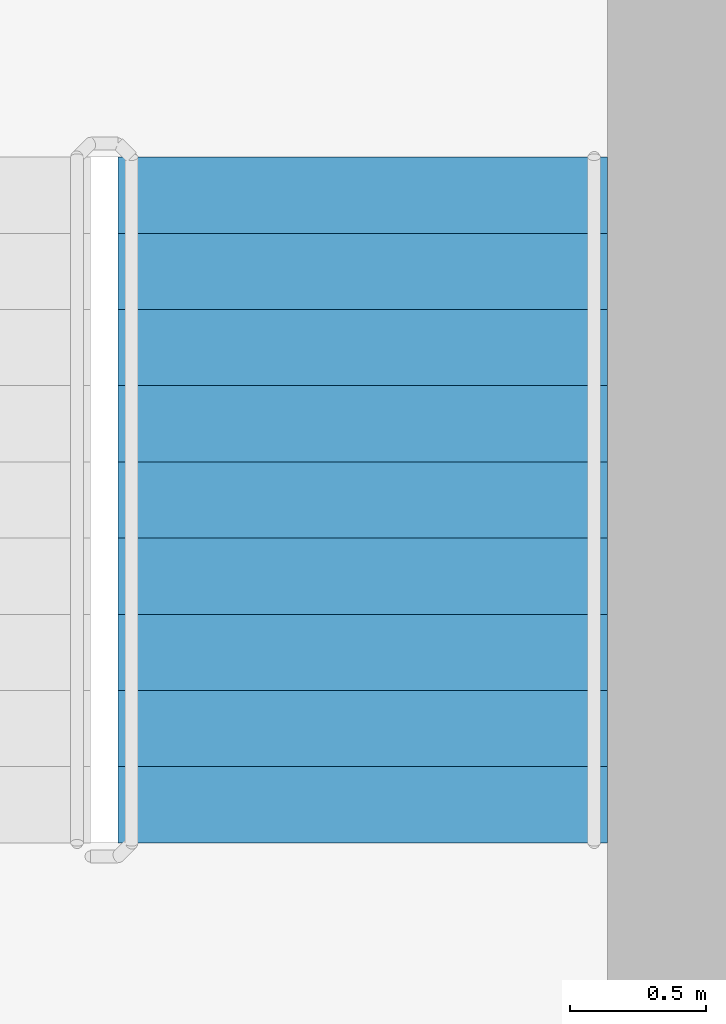
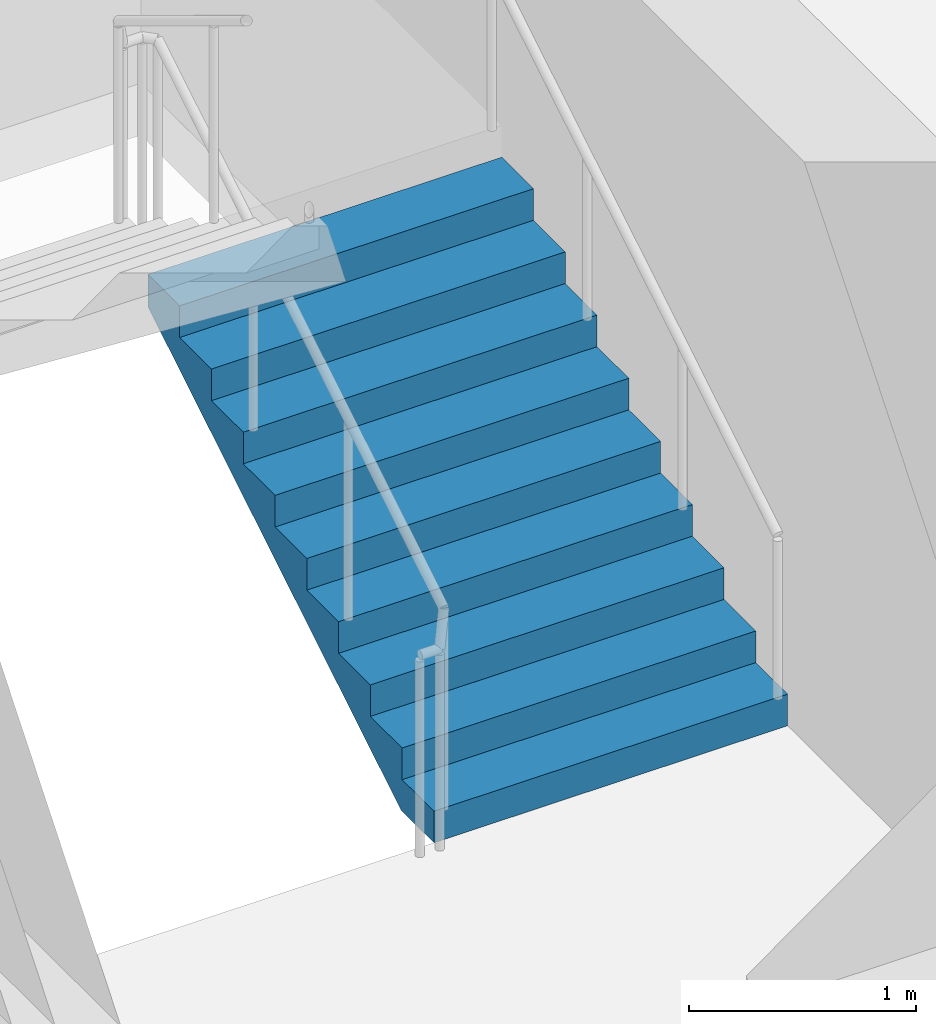
# One storey, part 10 of 17: 1 stair flight, 1 element without a shape of its own.
"""IFC4 building model written with IfcOpenShell, lengths in metres."""

from ifc_helpers import new_model, si_unit, direction, frame, origin, place, context, subcontext, project, spatial, triangles, source, transform, mapped, material, type_object, element, aggregate, save


model = new_model("IFC4")

# Units and contexts
model_context = context("Model", 3, precision=1e-05, world=origin(), true_north=direction((0.0, 1.0)))
body_context = subcontext(model_context, "Body", "Model", "MODEL_VIEW")
ifc_project = project(units=[si_unit("LENGTHUNIT", "METRE"), si_unit("AREAUNIT", "SQUARE_METRE"), si_unit("VOLUMEUNIT", "CUBIC_METRE"), si_unit("PLANEANGLEUNIT", "RADIAN"), si_unit("MASSUNIT", "GRAM", prefix="KILO")], contexts=[model_context])

# Site, building, storey
site_placement = place(None, origin())
site = spatial("IfcSite", under=ifc_project, at=site_placement, CompositionType="ELEMENT")
building_placement = place(site_placement, origin())
building = spatial("IfcBuilding", under=site, at=building_placement, Name="Kilnfold Tower and Market Hall", CompositionType="ELEMENT")
storey_placement = place(building_placement, frame((0.0, 0.0, 298.39990234375)))
storey = spatial("IfcBuildingStorey", under=building, at=storey_placement, Name="L74", CompositionType="ELEMENT", Elevation=298.39990234375)

# Stair, stair flight
ifc_material_1 = material(Name="Concrete C40/50", Category="concrete")
stair_type = type_object("IfcStairType", Name="CORE STAIR 1800", PredefinedType="HALF_TURN_STAIR", material=ifc_material_1)
stair_placement = place(storey_placement, origin())
stair = element("IfcStair", 1, at=stair_placement, inside=storey, type_object=stair_type, Name="L74 ST2", PredefinedType="HALF_TURN_STAIR")
ifc_material_2 = material(Name="Concrete C40/50", Category="concrete")
stair_flight_type = type_object("IfcStairFlightType", Name="CORE STAIR FLIGHT 1800", PredefinedType="STRAIGHT", material=ifc_material_2)
shared_shape = source(origin(), body_context, "Body", "Tessellation", [
    triangles([(0.0, 0.89990234375, 0.0), (0.0, 0.78759765625, 0.0), (0.0, 0.675048828125, 0.0), (0.0, 0.5625, 0.0), (0.0, 0.449951171875, 0.0), (0.0, 0.33740234375, 0.0), (0.0, 0.22509765625, 0.0), (0.0, 0.112548828125, 0.0), (0.0, 0.0, 0.0), (0.0, -0.112548828125, 0.0), (0.0, -0.22509765625, 0.0), (0.0, -0.33740234375, 0.0), (0.0, -0.449951171875, 0.0), (0.0, -0.5625, 0.0), (0.0, -0.675048828125, 0.0), (0.0, -0.78759765625, 0.0), (0.0, -0.89990234375, 0.0), (0.0, 0.89990234375, 0.169921875), (0.0, 0.78759765625, 0.169921875), (0.0, 0.675048828125, 0.169921875), (0.0, 0.5625, 0.169921875), (0.0, 0.449951171875, 0.169921875), (0.0, 0.33740234375, 0.169921875), (0.0, 0.22509765625, 0.169921875), (0.0, 0.112548828125, 0.169921875), (0.0, 0.0, 0.169921875), (0.0, -0.112548828125, 0.169921875), (0.0, -0.22509765625, 0.169921875), (0.0, -0.33740234375, 0.169921875), (0.0, -0.449951171875, 0.169921875), (0.0, -0.5625, 0.169921875), (0.0, -0.675048828125, 0.169921875), (0.0, -0.78759765625, 0.169921875), (0.0, -0.89990234375, 0.169921875), (0.280029296875, 0.89990234375, 0.169921875), (0.280029296875, 0.78759765625, 0.169921875), (0.280029296875, 0.675048828125, 0.169921875), (0.280029296875, 0.5625, 0.169921875), (0.280029296875, 0.449951171875, 0.169921875), (0.280029296875, 0.33740234375, 0.169921875), (0.280029296875, 0.22509765625, 0.169921875), (0.280029296875, 0.112548828125, 0.169921875), (0.280029296875, 0.0, 0.169921875), (0.280029296875, -0.112548828125, 0.169921875), (0.280029296875, -0.22509765625, 0.169921875), (0.280029296875, -0.33740234375, 0.169921875), (0.280029296875, -0.449951171875, 0.169921875), (0.280029296875, -0.5625, 0.169921875), (0.280029296875, -0.675048828125, 0.169921875), (0.280029296875, -0.78759765625, 0.169921875), (0.280029296875, -0.89990234375, 0.169921875), (0.280029296875, 0.89990234375, 0.340087890625), (0.280029296875, 0.78759765625, 0.340087890625), (0.280029296875, 0.675048828125, 0.340087890625), (0.280029296875, 0.5625, 0.340087890625), (0.280029296875, 0.449951171875, 0.340087890625), (0.280029296875, 0.33740234375, 0.340087890625), (0.280029296875, 0.22509765625, 0.340087890625), (0.280029296875, 0.112548828125, 0.340087890625), (0.280029296875, 0.0, 0.340087890625), (0.280029296875, -0.112548828125, 0.340087890625), (0.280029296875, -0.22509765625, 0.340087890625), (0.280029296875, -0.33740234375, 0.340087890625), (0.280029296875, -0.449951171875, 0.340087890625), (0.280029296875, -0.5625, 0.340087890625), (0.280029296875, -0.675048828125, 0.340087890625), (0.280029296875, -0.78759765625, 0.340087890625), (0.280029296875, -0.89990234375, 0.340087890625), (0.56005859375, 0.89990234375, 0.340087890625), (0.56005859375, 0.78759765625, 0.340087890625), (0.56005859375, 0.675048828125, 0.340087890625), (0.56005859375, 0.5625, 0.340087890625), (0.56005859375, 0.449951171875, 0.340087890625), (0.56005859375, 0.33740234375, 0.340087890625), (0.56005859375, 0.22509765625, 0.340087890625), (0.56005859375, 0.112548828125, 0.340087890625), (0.56005859375, 0.0, 0.340087890625), (0.56005859375, -0.112548828125, 0.340087890625), (0.56005859375, -0.22509765625, 0.340087890625), (0.56005859375, -0.33740234375, 0.340087890625), (0.56005859375, -0.449951171875, 0.340087890625), (0.56005859375, -0.5625, 0.340087890625), (0.56005859375, -0.675048828125, 0.340087890625), (0.56005859375, -0.78759765625, 0.340087890625), (0.56005859375, -0.89990234375, 0.340087890625), (0.56005859375, 0.89990234375, 0.510009765625), (0.56005859375, 0.78759765625, 0.510009765625), (0.56005859375, 0.675048828125, 0.510009765625), (0.56005859375, 0.5625, 0.510009765625), (0.56005859375, 0.449951171875, 0.510009765625), (0.56005859375, 0.33740234375, 0.510009765625), (0.56005859375, 0.22509765625, 0.510009765625), (0.56005859375, 0.112548828125, 0.510009765625), (0.56005859375, 0.0, 0.510009765625), (0.56005859375, -0.112548828125, 0.510009765625), (0.56005859375, -0.22509765625, 0.510009765625), (0.56005859375, -0.33740234375, 0.510009765625), (0.56005859375, -0.449951171875, 0.510009765625), (0.56005859375, -0.5625, 0.510009765625), (0.56005859375, -0.675048828125, 0.510009765625), (0.56005859375, -0.78759765625, 0.510009765625), (0.56005859375, -0.89990234375, 0.510009765625), (0.840087890625, 0.89990234375, 0.510009765625), (0.840087890625, 0.78759765625, 0.510009765625), (0.840087890625, 0.675048828125, 0.510009765625), (0.840087890625, 0.5625, 0.510009765625), (0.840087890625, 0.449951171875, 0.510009765625), (0.840087890625, 0.33740234375, 0.510009765625), (0.840087890625, 0.22509765625, 0.510009765625), (0.840087890625, 0.112548828125, 0.510009765625), (0.840087890625, 0.0, 0.510009765625), (0.840087890625, -0.112548828125, 0.510009765625), (0.840087890625, -0.22509765625, 0.510009765625), (0.840087890625, -0.33740234375, 0.510009765625), (0.840087890625, -0.449951171875, 0.510009765625), (0.840087890625, -0.5625, 0.510009765625), (0.840087890625, -0.675048828125, 0.510009765625), (0.840087890625, -0.78759765625, 0.510009765625), (0.840087890625, -0.89990234375, 0.510009765625), (0.840087890625, 0.89990234375, 0.679931640625), (0.840087890625, 0.78759765625, 0.679931640625), (0.840087890625, 0.675048828125, 0.679931640625), (0.840087890625, 0.5625, 0.679931640625), (0.840087890625, 0.449951171875, 0.679931640625), (0.840087890625, 0.33740234375, 0.679931640625), (0.840087890625, 0.22509765625, 0.679931640625), (0.840087890625, 0.112548828125, 0.679931640625), (0.840087890625, 0.0, 0.679931640625), (0.840087890625, -0.112548828125, 0.679931640625), (0.840087890625, -0.22509765625, 0.679931640625), (0.840087890625, -0.33740234375, 0.679931640625), (0.840087890625, -0.449951171875, 0.679931640625), (0.840087890625, -0.5625, 0.679931640625), (0.840087890625, -0.675048828125, 0.679931640625), (0.840087890625, -0.78759765625, 0.679931640625), (0.840087890625, -0.89990234375, 0.679931640625), (1.1201171875, 0.89990234375, 0.679931640625), (1.1201171875, 0.78759765625, 0.679931640625), (1.1201171875, 0.675048828125, 0.679931640625), (1.1201171875, 0.5625, 0.679931640625), (1.1201171875, 0.449951171875, 0.679931640625), (1.1201171875, 0.33740234375, 0.679931640625), (1.1201171875, 0.22509765625, 0.679931640625), (1.1201171875, 0.112548828125, 0.679931640625), (1.1201171875, 0.0, 0.679931640625), (1.1201171875, -0.112548828125, 0.679931640625), (1.1201171875, -0.22509765625, 0.679931640625), (1.1201171875, -0.33740234375, 0.679931640625), (1.1201171875, -0.449951171875, 0.679931640625), (1.1201171875, -0.5625, 0.679931640625), (1.1201171875, -0.675048828125, 0.679931640625), (1.1201171875, -0.78759765625, 0.679931640625), (1.1201171875, -0.89990234375, 0.679931640625), (1.1201171875, 0.89990234375, 0.85009765625), (1.1201171875, 0.78759765625, 0.85009765625), (1.1201171875, 0.675048828125, 0.85009765625), (1.1201171875, 0.5625, 0.85009765625), (1.1201171875, 0.449951171875, 0.85009765625), (1.1201171875, 0.33740234375, 0.85009765625), (1.1201171875, 0.22509765625, 0.85009765625), (1.1201171875, 0.112548828125, 0.85009765625), (1.1201171875, 0.0, 0.85009765625), (1.1201171875, -0.112548828125, 0.85009765625), (1.1201171875, -0.22509765625, 0.85009765625), (1.1201171875, -0.33740234375, 0.85009765625), (1.1201171875, -0.449951171875, 0.85009765625), (1.1201171875, -0.5625, 0.85009765625), (1.1201171875, -0.675048828125, 0.85009765625), (1.1201171875, -0.78759765625, 0.85009765625), (1.1201171875, -0.89990234375, 0.85009765625), (1.39990234375, 0.89990234375, 0.85009765625), (1.39990234375, 0.78759765625, 0.85009765625), (1.39990234375, 0.675048828125, 0.85009765625), (1.39990234375, 0.5625, 0.85009765625), (1.39990234375, 0.449951171875, 0.85009765625), (1.39990234375, 0.33740234375, 0.85009765625), (1.39990234375, 0.22509765625, 0.85009765625), (1.39990234375, 0.112548828125, 0.85009765625), (1.39990234375, 0.0, 0.85009765625), (1.39990234375, -0.112548828125, 0.85009765625), (1.39990234375, -0.22509765625, 0.85009765625), (1.39990234375, -0.33740234375, 0.85009765625), (1.39990234375, -0.449951171875, 0.85009765625), (1.39990234375, -0.5625, 0.85009765625), (1.39990234375, -0.675048828125, 0.85009765625), (1.39990234375, -0.78759765625, 0.85009765625), (1.39990234375, -0.89990234375, 0.85009765625), (1.39990234375, 0.89990234375, 1.02001953125), (1.39990234375, 0.78759765625, 1.02001953125), (1.39990234375, 0.675048828125, 1.02001953125), (1.39990234375, 0.5625, 1.02001953125), (1.39990234375, 0.449951171875, 1.02001953125), (1.39990234375, 0.33740234375, 1.02001953125), (1.39990234375, 0.22509765625, 1.02001953125), (1.39990234375, 0.112548828125, 1.02001953125), (1.39990234375, 0.0, 1.02001953125), (1.39990234375, -0.112548828125, 1.02001953125), (1.39990234375, -0.22509765625, 1.02001953125), (1.39990234375, -0.33740234375, 1.02001953125), (1.39990234375, -0.449951171875, 1.02001953125), (1.39990234375, -0.5625, 1.02001953125), (1.39990234375, -0.675048828125, 1.02001953125), (1.39990234375, -0.78759765625, 1.02001953125), (1.39990234375, -0.89990234375, 1.02001953125), (1.679931640625, 0.89990234375, 1.02001953125), (1.679931640625, 0.78759765625, 1.02001953125), (1.679931640625, 0.675048828125, 1.02001953125), (1.679931640625, 0.5625, 1.02001953125), (1.679931640625, 0.449951171875, 1.02001953125), (1.679931640625, 0.33740234375, 1.02001953125), (1.679931640625, 0.22509765625, 1.02001953125), (1.679931640625, 0.112548828125, 1.02001953125), (1.679931640625, 0.0, 1.02001953125), (1.679931640625, -0.112548828125, 1.02001953125), (1.679931640625, -0.22509765625, 1.02001953125), (1.679931640625, -0.33740234375, 1.02001953125), (1.679931640625, -0.449951171875, 1.02001953125), (1.679931640625, -0.5625, 1.02001953125), (1.679931640625, -0.675048828125, 1.02001953125), (1.679931640625, -0.78759765625, 1.02001953125), (1.679931640625, -0.89990234375, 1.02001953125), (1.679931640625, 0.89990234375, 1.18994140625), (1.679931640625, 0.78759765625, 1.18994140625), (1.679931640625, 0.675048828125, 1.18994140625), (1.679931640625, 0.5625, 1.18994140625), (1.679931640625, 0.449951171875, 1.18994140625), (1.679931640625, 0.33740234375, 1.18994140625), (1.679931640625, 0.22509765625, 1.18994140625), (1.679931640625, 0.112548828125, 1.18994140625), (1.679931640625, 0.0, 1.18994140625), (1.679931640625, -0.112548828125, 1.18994140625), (1.679931640625, -0.22509765625, 1.18994140625), (1.679931640625, -0.33740234375, 1.18994140625), (1.679931640625, -0.449951171875, 1.18994140625), (1.679931640625, -0.5625, 1.18994140625), (1.679931640625, -0.675048828125, 1.18994140625), (1.679931640625, -0.78759765625, 1.18994140625), (1.679931640625, -0.89990234375, 1.18994140625), (1.9599609375, 0.89990234375, 1.18994140625), (1.9599609375, 0.78759765625, 1.18994140625), (1.9599609375, 0.675048828125, 1.18994140625), (1.9599609375, 0.5625, 1.18994140625), (1.9599609375, 0.449951171875, 1.18994140625), (1.9599609375, 0.33740234375, 1.18994140625), (1.9599609375, 0.22509765625, 1.18994140625), (1.9599609375, 0.112548828125, 1.18994140625), (1.9599609375, 0.0, 1.18994140625), (1.9599609375, -0.112548828125, 1.18994140625), (1.9599609375, -0.22509765625, 1.18994140625), (1.9599609375, -0.33740234375, 1.18994140625), (1.9599609375, -0.449951171875, 1.18994140625), (1.9599609375, -0.5625, 1.18994140625), (1.9599609375, -0.675048828125, 1.18994140625), (1.9599609375, -0.78759765625, 1.18994140625), (1.9599609375, -0.89990234375, 1.18994140625), (1.9599609375, 0.89990234375, 1.360107421875), (1.9599609375, 0.78759765625, 1.360107421875), (1.9599609375, 0.675048828125, 1.360107421875), (1.9599609375, 0.5625, 1.360107421875), (1.9599609375, 0.449951171875, 1.360107421875), (1.9599609375, 0.33740234375, 1.360107421875), (1.9599609375, 0.22509765625, 1.360107421875), (1.9599609375, 0.112548828125, 1.360107421875), (1.9599609375, 0.0, 1.360107421875), (1.9599609375, -0.112548828125, 1.360107421875), (1.9599609375, -0.22509765625, 1.360107421875), (1.9599609375, -0.33740234375, 1.360107421875), (1.9599609375, -0.449951171875, 1.360107421875), (1.9599609375, -0.5625, 1.360107421875), (1.9599609375, -0.675048828125, 1.360107421875), (1.9599609375, -0.78759765625, 1.360107421875), (1.9599609375, -0.89990234375, 1.360107421875), (2.239990234375, 0.89990234375, 1.360107421875), (2.239990234375, 0.78759765625, 1.360107421875), (2.239990234375, 0.675048828125, 1.360107421875), (2.239990234375, 0.5625, 1.360107421875), (2.239990234375, 0.449951171875, 1.360107421875), (2.239990234375, 0.33740234375, 1.360107421875), (2.239990234375, 0.22509765625, 1.360107421875), (2.239990234375, 0.112548828125, 1.360107421875), (2.239990234375, 0.0, 1.360107421875), (2.239990234375, -0.112548828125, 1.360107421875), (2.239990234375, -0.22509765625, 1.360107421875), (2.239990234375, -0.33740234375, 1.360107421875), (2.239990234375, -0.449951171875, 1.360107421875), (2.239990234375, -0.5625, 1.360107421875), (2.239990234375, -0.675048828125, 1.360107421875), (2.239990234375, -0.78759765625, 1.360107421875), (2.239990234375, -0.89990234375, 1.360107421875), (2.239990234375, 0.89990234375, 1.530029296875), (2.239990234375, 0.78759765625, 1.530029296875), (2.239990234375, 0.675048828125, 1.530029296875), (2.239990234375, 0.5625, 1.530029296875), (2.239990234375, 0.449951171875, 1.530029296875), (2.239990234375, 0.33740234375, 1.530029296875), (2.239990234375, 0.22509765625, 1.530029296875), (2.239990234375, 0.112548828125, 1.530029296875), (2.239990234375, 0.0, 1.530029296875), (2.239990234375, -0.112548828125, 1.530029296875), (2.239990234375, -0.22509765625, 1.530029296875), (2.239990234375, -0.33740234375, 1.530029296875), (2.239990234375, -0.449951171875, 1.530029296875), (2.239990234375, -0.5625, 1.530029296875), (2.239990234375, -0.675048828125, 1.530029296875), (2.239990234375, -0.78759765625, 1.530029296875), (2.239990234375, -0.89990234375, 1.530029296875), (2.52001953125, 0.89990234375, 1.530029296875), (2.52001953125, 0.78759765625, 1.530029296875), (2.52001953125, 0.675048828125, 1.530029296875), (2.52001953125, 0.5625, 1.530029296875), (2.52001953125, 0.449951171875, 1.530029296875), (2.52001953125, 0.33740234375, 1.530029296875), (2.52001953125, 0.22509765625, 1.530029296875), (2.52001953125, 0.112548828125, 1.530029296875), (2.52001953125, 0.0, 1.530029296875), (2.52001953125, -0.112548828125, 1.530029296875), (2.52001953125, -0.22509765625, 1.530029296875), (2.52001953125, -0.33740234375, 1.530029296875), (2.52001953125, -0.449951171875, 1.530029296875), (2.52001953125, -0.5625, 1.530029296875), (2.52001953125, -0.675048828125, 1.530029296875), (2.52001953125, -0.78759765625, 1.530029296875), (2.52001953125, -0.89990234375, 1.530029296875), (2.52001953125, 0.89990234375, 1.354736328125), (2.52001953125, 0.78759765625, 1.354736328125), (2.52001953125, 0.675048828125, 1.354736328125), (2.52001953125, 0.5625, 1.354736328125), (2.52001953125, 0.449951171875, 1.354736328125), (2.52001953125, 0.33740234375, 1.354736328125), (2.52001953125, 0.22509765625, 1.354736328125), (2.52001953125, 0.112548828125, 1.354736328125), (2.52001953125, 0.0, 1.354736328125), (2.52001953125, -0.112548828125, 1.354736328125), (2.52001953125, -0.22509765625, 1.354736328125), (2.52001953125, -0.33740234375, 1.354736328125), (2.52001953125, -0.449951171875, 1.354736328125), (2.52001953125, -0.5625, 1.354736328125), (2.52001953125, -0.675048828125, 1.354736328125), (2.52001953125, -0.78759765625, 1.354736328125), (2.52001953125, -0.89990234375, 1.354736328125), (0.288818359375, 0.89990234375, 0.0), (0.288818359375, 0.78759765625, 0.0), (0.288818359375, 0.675048828125, 0.0), (0.288818359375, 0.5625, 0.0), (0.288818359375, 0.449951171875, 0.0), (0.288818359375, 0.33740234375, 0.0), (0.288818359375, 0.22509765625, 0.0), (0.288818359375, 0.112548828125, 0.0), (0.288818359375, 0.0, 0.0), (0.288818359375, -0.112548828125, 0.0), (0.288818359375, -0.22509765625, 0.0), (0.288818359375, -0.33740234375, 0.0), (0.288818359375, -0.449951171875, 0.0), (0.288818359375, -0.5625, 0.0), (0.288818359375, -0.675048828125, 0.0), (0.288818359375, -0.78759765625, 0.0), (0.288818359375, -0.89990234375, 0.0)], [[1, 324, 341], [17, 357, 340], [324, 290, 307], [340, 323, 306], [324, 273, 290], [340, 306, 289], [324, 256, 273], [340, 289, 272], [324, 239, 256], [340, 272, 255], [239, 205, 222], [255, 238, 221], [324, 205, 239], [340, 255, 221], [205, 171, 188], [221, 204, 187], [324, 171, 205], [340, 221, 187], [171, 137, 154], [187, 170, 153], [324, 137, 171], [340, 187, 153], [137, 103, 120], [153, 136, 119], [324, 103, 137], [340, 153, 119], [103, 69, 86], [119, 102, 85], [324, 69, 103], [340, 119, 85], [69, 35, 52], [85, 68, 51], [324, 35, 69], [340, 85, 51], [1, 35, 324], [17, 340, 51], [35, 1, 18], [51, 34, 17], [1, 19, 18], [1, 2, 19], [2, 20, 19], [2, 3, 20], [3, 21, 20], [3, 4, 21], [4, 22, 21], [4, 5, 22], [5, 23, 22], [5, 6, 23], [6, 24, 23], [6, 7, 24], [7, 25, 24], [7, 8, 25], [8, 26, 25], [8, 9, 26], [9, 27, 26], [9, 10, 27], [10, 28, 27], [10, 11, 28], [11, 29, 28], [11, 12, 29], [12, 30, 29], [12, 13, 30], [13, 31, 30], [13, 14, 31], [14, 32, 31], [14, 15, 32], [15, 33, 32], [15, 16, 33], [16, 34, 33], [16, 17, 34], [18, 36, 35], [18, 19, 36], [19, 37, 36], [19, 20, 37], [20, 38, 37], [20, 21, 38], [21, 39, 38], [21, 22, 39], [22, 40, 39], [22, 23, 40], [23, 41, 40], [23, 24, 41], [24, 42, 41], [24, 25, 42], [25, 43, 42], [25, 26, 43], [26, 44, 43], [26, 27, 44], [27, 45, 44], [27, 28, 45], [28, 46, 45], [28, 29, 46], [29, 47, 46], [29, 30, 47], [30, 48, 47], [30, 31, 48], [31, 49, 48], [31, 32, 49], [32, 50, 49], [32, 33, 50], [33, 51, 50], [33, 34, 51], [35, 53, 52], [35, 36, 53], [36, 54, 53], [36, 37, 54], [37, 55, 54], [37, 38, 55], [38, 56, 55], [38, 39, 56], [39, 57, 56], [39, 40, 57], [40, 58, 57], [40, 41, 58], [41, 59, 58], [41, 42, 59], [42, 60, 59], [42, 43, 60], [43, 61, 60], [43, 44, 61], [44, 62, 61], [44, 45, 62], [45, 63, 62], [45, 46, 63], [46, 64, 63], [46, 47, 64], [47, 65, 64], [47, 48, 65], [48, 66, 65], [48, 49, 66], [49, 67, 66], [49, 50, 67], [50, 68, 67], [50, 51, 68], [52, 70, 69], [52, 53, 70], [53, 71, 70], [53, 54, 71], [54, 72, 71], [54, 55, 72], [55, 73, 72], [55, 56, 73], [56, 74, 73], [56, 57, 74], [57, 75, 74], [57, 58, 75], [58, 76, 75], [58, 59, 76], [59, 77, 76], [59, 60, 77], [60, 78, 77], [60, 61, 78], [61, 79, 78], [61, 62, 79], [62, 80, 79], [62, 63, 80], [63, 81, 80], [63, 64, 81], [64, 82, 81], [64, 65, 82], [65, 83, 82], [65, 66, 83], [66, 84, 83], [66, 67, 84], [67, 85, 84], [67, 68, 85], [69, 87, 86], [69, 70, 87], [70, 88, 87], [70, 71, 88], [71, 89, 88], [71, 72, 89], [72, 90, 89], [72, 73, 90], [73, 91, 90], [73, 74, 91], [74, 92, 91], [74, 75, 92], [75, 93, 92], [75, 76, 93], [76, 94, 93], [76, 77, 94], [77, 95, 94], [77, 78, 95], [78, 96, 95], [78, 79, 96], [79, 97, 96], [79, 80, 97], [80, 98, 97], [80, 81, 98], [81, 99, 98], [81, 82, 99], [82, 100, 99], [82, 83, 100], [83, 101, 100], [83, 84, 101], [84, 102, 101], [84, 85, 102], [86, 104, 103], [86, 87, 104], [87, 105, 104], [87, 88, 105], [88, 106, 105], [88, 89, 106], [89, 107, 106], [89, 90, 107], [90, 108, 107], [90, 91, 108], [91, 109, 108], [91, 92, 109], [92, 110, 109], [92, 93, 110], [93, 111, 110], [93, 94, 111], [94, 112, 111], [94, 95, 112], [95, 113, 112], [95, 96, 113], [96, 114, 113], [96, 97, 114], [97, 115, 114], [97, 98, 115], [98, 116, 115], [98, 99, 116], [99, 117, 116], [99, 100, 117], [100, 118, 117], [100, 101, 118], [101, 119, 118], [101, 102, 119], [103, 121, 120], [103, 104, 121], [104, 122, 121], [104, 105, 122], [105, 123, 122], [105, 106, 123], [106, 124, 123], [106, 107, 124], [107, 125, 124], [107, 108, 125], [108, 126, 125], [108, 109, 126], [109, 127, 126], [109, 110, 127], [110, 128, 127], [110, 111, 128], [111, 129, 128], [111, 112, 129], [112, 130, 129], [112, 113, 130], [113, 131, 130], [113, 114, 131], [114, 132, 131], [114, 115, 132], [115, 133, 132], [115, 116, 133], [116, 134, 133], [116, 117, 134], [117, 135, 134], [117, 118, 135], [118, 136, 135], [118, 119, 136], [120, 138, 137], [120, 121, 138], [121, 139, 138], [121, 122, 139], [122, 140, 139], [122, 123, 140], [123, 141, 140], [123, 124, 141], [124, 142, 141], [124, 125, 142], [125, 143, 142], [125, 126, 143], [126, 144, 143], [126, 127, 144], [127, 145, 144], [127, 128, 145], [128, 146, 145], [128, 129, 146], [129, 147, 146], [129, 130, 147], [130, 148, 147], [130, 131, 148], [131, 149, 148], [131, 132, 149], [132, 150, 149], [132, 133, 150], [133, 151, 150], [133, 134, 151], [134, 152, 151], [134, 135, 152], [135, 153, 152], [135, 136, 153], [137, 155, 154], [137, 138, 155], [138, 156, 155], [138, 139, 156], [139, 157, 156], [139, 140, 157], [140, 158, 157], [140, 141, 158], [141, 159, 158], [141, 142, 159], [142, 160, 159], [142, 143, 160], [143, 161, 160], [143, 144, 161], [144, 162, 161], [144, 145, 162], [145, 163, 162], [145, 146, 163], [146, 164, 163], [146, 147, 164], [147, 165, 164], [147, 148, 165], [148, 166, 165], [148, 149, 166], [149, 167, 166], [149, 150, 167], [150, 168, 167], [150, 151, 168], [151, 169, 168], [151, 152, 169], [152, 170, 169], [152, 153, 170], [154, 172, 171], [154, 155, 172], [155, 173, 172], [155, 156, 173], [156, 174, 173], [156, 157, 174], [157, 175, 174], [157, 158, 175], [158, 176, 175], [158, 159, 176], [159, 177, 176], [159, 160, 177], [160, 178, 177], [160, 161, 178], [161, 179, 178], [161, 162, 179], [162, 180, 179], [162, 163, 180], [163, 181, 180], [163, 164, 181], [164, 182, 181], [164, 165, 182], [165, 183, 182], [165, 166, 183], [166, 184, 183], [166, 167, 184], [167, 185, 184], [167, 168, 185], [168, 186, 185], [168, 169, 186], [169, 187, 186], [169, 170, 187], [171, 189, 188], [171, 172, 189], [172, 190, 189], [172, 173, 190], [173, 191, 190], [173, 174, 191], [174, 192, 191], [174, 175, 192], [175, 193, 192], [175, 176, 193], [176, 194, 193], [176, 177, 194], [177, 195, 194], [177, 178, 195], [178, 196, 195], [178, 179, 196], [179, 197, 196], [179, 180, 197], [180, 198, 197], [180, 181, 198], [181, 199, 198], [181, 182, 199], [182, 200, 199], [182, 183, 200], [183, 201, 200], [183, 184, 201], [184, 202, 201], [184, 185, 202], [185, 203, 202], [185, 186, 203], [186, 204, 203], [186, 187, 204], [188, 206, 205], [188, 189, 206], [189, 207, 206], [189, 190, 207], [190, 208, 207], [190, 191, 208], [191, 209, 208], [191, 192, 209], [192, 210, 209], [192, 193, 210], [193, 211, 210], [193, 194, 211], [194, 212, 211], [194, 195, 212], [195, 213, 212], [195, 196, 213], [196, 214, 213], [196, 197, 214], [197, 215, 214], [197, 198, 215], [198, 216, 215], [198, 199, 216], [199, 217, 216], [199, 200, 217], [200, 218, 217], [200, 201, 218], [201, 219, 218], [201, 202, 219], [202, 220, 219], [202, 203, 220], [203, 221, 220], [203, 204, 221], [205, 223, 222], [205, 206, 223], [206, 224, 223], [206, 207, 224], [207, 225, 224], [207, 208, 225], [208, 226, 225], [208, 209, 226], [209, 227, 226], [209, 210, 227], [210, 228, 227], [210, 211, 228], [211, 229, 228], [211, 212, 229], [212, 230, 229], [212, 213, 230], [213, 231, 230], [213, 214, 231], [214, 232, 231], [214, 215, 232], [215, 233, 232], [215, 216, 233], [216, 234, 233], [216, 217, 234], [217, 235, 234], [217, 218, 235], [218, 236, 235], [218, 219, 236], [219, 237, 236], [219, 220, 237], [220, 238, 237], [220, 221, 238], [222, 240, 239], [222, 223, 240], [223, 241, 240], [223, 224, 241], [224, 242, 241], [224, 225, 242], [225, 243, 242], [225, 226, 243], [226, 244, 243], [226, 227, 244], [227, 245, 244], [227, 228, 245], [228, 246, 245], [228, 229, 246], [229, 247, 246], [229, 230, 247], [230, 248, 247], [230, 231, 248], [231, 249, 248], [231, 232, 249], [232, 250, 249], [232, 233, 250], [233, 251, 250], [233, 234, 251], [234, 252, 251], [234, 235, 252], [235, 253, 252], [235, 236, 253], [236, 254, 253], [236, 237, 254], [237, 255, 254], [237, 238, 255], [239, 257, 256], [239, 240, 257], [240, 258, 257], [240, 241, 258], [241, 259, 258], [241, 242, 259], [242, 260, 259], [242, 243, 260], [243, 261, 260], [243, 244, 261], [244, 262, 261], [244, 245, 262], [245, 263, 262], [245, 246, 263], [246, 264, 263], [246, 247, 264], [247, 265, 264], [247, 248, 265], [248, 266, 265], [248, 249, 266], [249, 267, 266], [249, 250, 267], [250, 268, 267], [250, 251, 268], [251, 269, 268], [251, 252, 269], [252, 270, 269], [252, 253, 270], [253, 271, 270], [253, 254, 271], [254, 272, 271], [254, 255, 272], [256, 274, 273], [256, 257, 274], [257, 275, 274], [257, 258, 275], [258, 276, 275], [258, 259, 276], [259, 277, 276], [259, 260, 277], [260, 278, 277], [260, 261, 278], [261, 279, 278], [261, 262, 279], [262, 280, 279], [262, 263, 280], [263, 281, 280], [263, 264, 281], [264, 282, 281], [264, 265, 282], [265, 283, 282], [265, 266, 283], [266, 284, 283], [266, 267, 284], [267, 285, 284], [267, 268, 285], [268, 286, 285], [268, 269, 286], [269, 287, 286], [269, 270, 287], [270, 288, 287], [270, 271, 288], [271, 289, 288], [271, 272, 289], [273, 291, 290], [273, 274, 291], [274, 292, 291], [274, 275, 292], [275, 293, 292], [275, 276, 293], [276, 294, 293], [276, 277, 294], [277, 295, 294], [277, 278, 295], [278, 296, 295], [278, 279, 296], [279, 297, 296], [279, 280, 297], [280, 298, 297], [280, 281, 298], [281, 299, 298], [281, 282, 299], [282, 300, 299], [282, 283, 300], [283, 301, 300], [283, 284, 301], [284, 302, 301], [284, 285, 302], [285, 303, 302], [285, 286, 303], [286, 304, 303], [286, 287, 304], [287, 305, 304], [287, 288, 305], [288, 306, 305], [288, 289, 306], [290, 308, 307], [290, 291, 308], [291, 309, 308], [291, 292, 309], [292, 310, 309], [292, 293, 310], [293, 311, 310], [293, 294, 311], [294, 312, 311], [294, 295, 312], [295, 313, 312], [295, 296, 313], [296, 314, 313], [296, 297, 314], [297, 315, 314], [297, 298, 315], [298, 316, 315], [298, 299, 316], [299, 317, 316], [299, 300, 317], [300, 318, 317], [300, 301, 318], [301, 319, 318], [301, 302, 319], [302, 320, 319], [302, 303, 320], [303, 321, 320], [303, 304, 321], [304, 322, 321], [304, 305, 322], [305, 323, 322], [305, 306, 323], [307, 325, 324], [307, 308, 325], [308, 326, 325], [308, 309, 326], [309, 327, 326], [309, 310, 327], [310, 328, 327], [310, 311, 328], [311, 329, 328], [311, 312, 329], [312, 330, 329], [312, 313, 330], [313, 331, 330], [313, 314, 331], [314, 332, 331], [314, 315, 332], [315, 333, 332], [315, 316, 333], [316, 334, 333], [316, 317, 334], [317, 335, 334], [317, 318, 335], [318, 336, 335], [318, 319, 336], [319, 337, 336], [319, 320, 337], [320, 338, 337], [320, 321, 338], [321, 339, 338], [321, 322, 339], [322, 340, 339], [322, 323, 340], [324, 342, 341], [324, 325, 342], [325, 343, 342], [325, 326, 343], [326, 344, 343], [326, 327, 344], [327, 345, 344], [327, 328, 345], [328, 346, 345], [328, 329, 346], [329, 347, 346], [329, 330, 347], [330, 348, 347], [330, 331, 348], [331, 349, 348], [331, 332, 349], [332, 350, 349], [332, 333, 350], [333, 351, 350], [333, 334, 351], [334, 352, 351], [334, 335, 352], [335, 353, 352], [335, 336, 353], [336, 354, 353], [336, 337, 354], [337, 355, 354], [337, 338, 355], [338, 356, 355], [338, 339, 356], [339, 357, 356], [339, 340, 357], [341, 2, 1], [341, 342, 2], [342, 3, 2], [342, 343, 3], [343, 4, 3], [343, 344, 4], [344, 5, 4], [344, 345, 5], [345, 6, 5], [345, 346, 6], [346, 7, 6], [346, 347, 7], [347, 8, 7], [347, 348, 8], [348, 9, 8], [348, 349, 9], [349, 10, 9], [349, 350, 10], [350, 11, 10], [350, 351, 11], [351, 12, 11], [351, 352, 12], [352, 13, 12], [352, 353, 13], [353, 14, 13], [353, 354, 14], [354, 15, 14], [354, 355, 15], [355, 16, 15], [355, 356, 16], [356, 17, 16], [356, 357, 17]], closed=True),
])
stair_flight_placement = place(storey_placement, frame((16.199951171875, 10.800048828125, 0.0), z_axis=(0.0, 0.0, 1.0), x_axis=(0.0, 1.0, 0.0)))
stair_flight = element("IfcStairFlight", 2, at=stair_flight_placement, type_object=stair_flight_type, Name="ST2 flight 1", NumberOfRisers=10, NumberOfTreads=9, PredefinedType="STRAIGHT", RiserHeight=0.17, TreadLength=0.28, context=body_context, shape_type="MappedRepresentation", body=[
    mapped(shared_shape, transform((0.0, 0.0, 0.0))),
])
aggregate(stair, [stair_flight])

save(model, "model.ifc")
